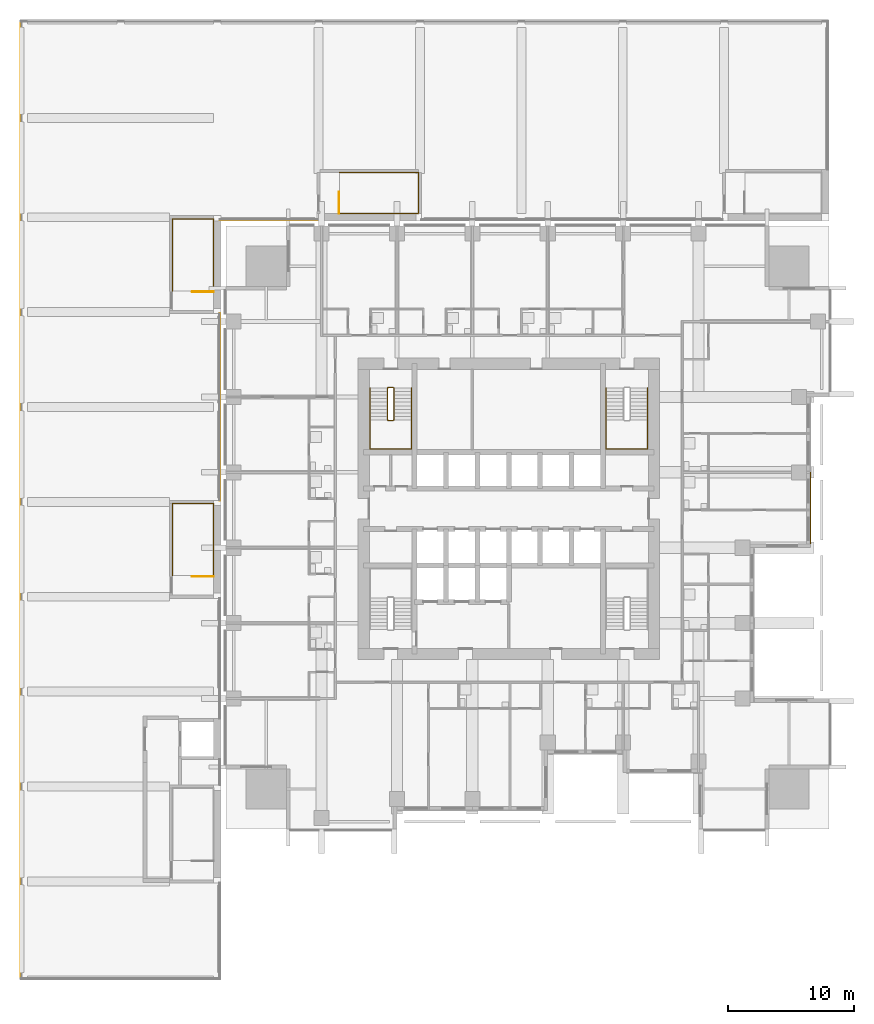
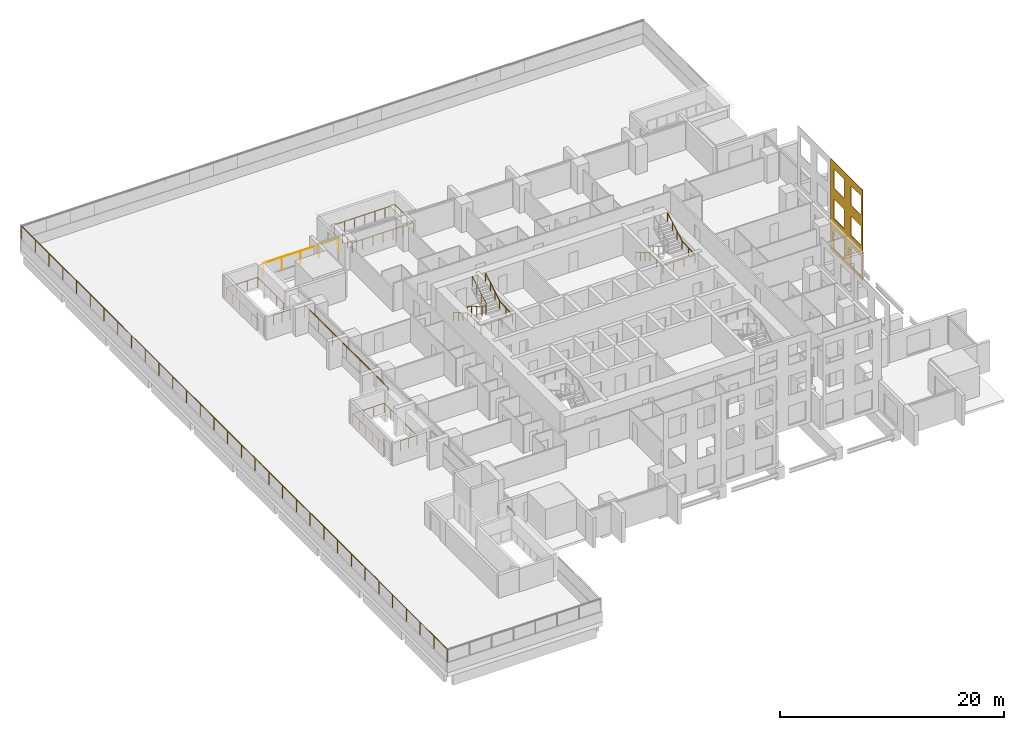
# One storey, part 13 of 15: 12 railings, 1 covering.
"""IFC4 building model written with IfcOpenShell, lengths in metres."""

from ifc_helpers import new_model, si_unit, direction, frame, origin, origin_2d, place, context, subcontext, project, spatial, polyline, circle, outline, extrude, material, layer, layer_set, type_object, element, save


model = new_model("IFC4")

# Units and contexts
model_context = context("Model", 3, precision=1e-05, world=origin(), true_north=direction((0.0, 1.0)))
body_context = subcontext(model_context, "Body", "Model", "MODEL_VIEW")
ifc_project = project(units=[si_unit("LENGTHUNIT", "METRE"), si_unit("AREAUNIT", "SQUARE_METRE"), si_unit("VOLUMEUNIT", "CUBIC_METRE"), si_unit("PLANEANGLEUNIT", "RADIAN"), si_unit("MASSUNIT", "GRAM", prefix="KILO")], contexts=[model_context])

# Site, building, storey
site_placement = place(None, origin())
site = spatial("IfcSite", under=ifc_project, at=site_placement, CompositionType="ELEMENT")
building_placement = place(site_placement, origin())
building = spatial("IfcBuilding", under=site, at=building_placement, Name="Amberfall Residences", CompositionType="ELEMENT")
storey_placement = place(building_placement, frame((0.0, 0.0, 23.5)))
storey = spatial("IfcBuildingStorey", under=building, at=storey_placement, Name="L05", CompositionType="ELEMENT", Elevation=23.5)

# Covering
ifc_material_1 = material(Name="Pale limestone cladding", Category="masonry")
ifc_layer = layer(ifc_material_1, 0.050048828125)
ifc_layer_set = layer_set([ifc_layer], Name="Limestone fascia 50")
covering_type = type_object("IfcCoveringType", Name="Limestone fascia 50", PredefinedType="CLADDING", material=ifc_layer_set)
covering_placement = place(storey_placement, frame((98.5, 42.699951171875, 9.64990234375), z_axis=(-1.0, 0.0, 0.0), x_axis=(0.0, 1.0, 0.0)))
element("IfcCovering", 1, at=covering_placement, inside=storey, type_object=covering_type, Name="Pale limestone cladding L05-L07 E", PredefinedType="CLADDING", context=body_context, shape_type="SweptSolid", body=[
    extrude(outline(polyline([(0.0, 0.0), (5.699951171875, 0.0), (5.699951171875, 9.89990234375), (0.0, 9.89990234375), (0.0, 0.0)]), holes=[polyline([(0.300048828125, 7.39990234375), (2.10009765625, 7.39990234375), (2.10009765625, 9.5), (0.300048828125, 9.5), (0.300048828125, 7.39990234375)]), polyline([(3.300048828125, 7.39990234375), (5.10009765625, 7.39990234375), (5.10009765625, 9.5), (3.300048828125, 9.5), (3.300048828125, 7.39990234375)]), polyline([(0.300048828125, 4.099853515625), (2.10009765625, 4.099853515625), (2.10009765625, 6.199951171875), (0.300048828125, 6.199951171875), (0.300048828125, 4.099853515625)]), polyline([(3.300048828125, 4.099853515625), (5.10009765625, 4.099853515625), (5.10009765625, 6.199951171875), (3.300048828125, 6.199951171875), (3.300048828125, 4.099853515625)]), polyline([(0.300048828125, 0.7998046875), (2.10009765625, 0.7998046875), (2.10009765625, 2.89990234375), (0.300048828125, 2.89990234375), (0.300048828125, 0.7998046875)]), polyline([(3.300048828125, 0.7998046875), (5.10009765625, 0.7998046875), (5.10009765625, 2.89990234375), (3.300048828125, 2.89990234375), (3.300048828125, 0.7998046875)])]), origin(), (0.0, 0.0, -1.0), 0.050048828125),
])

# Railings
ifc_material_2 = material(Name="Galvanised steel", Category="steel")
railing_type_1 = type_object("IfcRailingType", Name="School playground fence 1400", PredefinedType="GUARDRAIL", material=ifc_material_2)
railing_1_placement = place(storey_placement, frame((51.5, 46.175048828125, 1.10009765625)))
element("IfcRailing", 2, at=railing_1_placement, inside=storey, type_object=railing_type_1, Name="School playground fence", PredefinedType="GUARDRAIL", context=body_context, shape_type="SweptSolid", body=[
    extrude(circle(Radius=0.02392578125, at=origin_2d()), frame((0.0, 0.0, 1.3759765625), z_axis=(0.0, 1.0, 0.0), x_axis=(-1.0, 0.0, 0.0)), (0.0, 0.0, 1.0), 14.849853515625),
    extrude(circle(Radius=0.02099609375, at=origin_2d()), origin(), (0.0, 0.0, 1.0), 1.351806640625),
    extrude(circle(Radius=0.02099609375, at=origin_2d()), frame((0.0, 2.47509765625, 0.0)), (0.0, 0.0, 1.0), 1.351806640625),
    extrude(circle(Radius=0.02099609375, at=origin_2d()), frame((0.0, 4.949951171875, 0.0)), (0.0, 0.0, 1.0), 1.351806640625),
    extrude(circle(Radius=0.02099609375, at=origin_2d()), frame((0.0, 7.4248046875, 0.0)), (0.0, 0.0, 1.0), 1.351806640625),
    extrude(circle(Radius=0.02099609375, at=origin_2d()), frame((0.0, 9.89990234375, 0.0)), (0.0, 0.0, 1.0), 1.351806640625),
    extrude(circle(Radius=0.02099609375, at=origin_2d()), frame((0.0, 12.375, 0.0)), (0.0, 0.0, 1.0), 1.351806640625),
    extrude(circle(Radius=0.02099609375, at=origin_2d()), frame((0.0, 14.849853515625, 0.0)), (0.0, 0.0, 1.0), 1.351806640625),
])
railing_2_placement = place(storey_placement, frame((51.5, 68.5, 1.10009765625)))
element("IfcRailing", 3, at=railing_2_placement, inside=storey, type_object=railing_type_1, Name="School playground fence", PredefinedType="GUARDRAIL", context=body_context, shape_type="SweptSolid", body=[
    extrude(circle(Radius=0.02392578125, at=origin_2d()), frame((0.0, 0.0, 1.3759765625), z_axis=(1.0, 0.0, 0.0), x_axis=(0.0, 1.0, 0.0)), (0.0, 0.0, 1.0), 7.741943359375),
    extrude(circle(Radius=0.02099609375, at=origin_2d()), origin(), (0.0, 0.0, 1.0), 1.351806640625),
    extrude(circle(Radius=0.02099609375, at=origin_2d()), frame((1.935546875, 0.0, 0.0)), (0.0, 0.0, 1.0), 1.351806640625),
    extrude(circle(Radius=0.02099609375, at=origin_2d()), frame((3.87109375, 0.0, 0.0)), (0.0, 0.0, 1.0), 1.351806640625),
    extrude(circle(Radius=0.02099609375, at=origin_2d()), frame((5.806396484375, 0.0, 0.0)), (0.0, 0.0, 1.0), 1.351806640625),
    extrude(circle(Radius=0.02099609375, at=origin_2d()), frame((7.741943359375, 0.0, 0.0)), (0.0, 0.0, 1.0), 1.351806640625),
])
railing_3_placement = place(storey_placement, frame((35.699951171875, 84.300048828125, 1.10009765625)))
element("IfcRailing", 4, at=railing_3_placement, inside=storey, type_object=railing_type_1, Name="School playground fence", PredefinedType="GUARDRAIL", context=body_context, shape_type="SweptSolid", body=[
    extrude(circle(Radius=0.02392578125, at=origin_2d()), frame((0.0, 0.0, 1.3759765625), z_axis=(0.0, -1.0, 0.0), x_axis=(1.0, 0.0, 0.0)), (0.0, 0.0, 1.0), 76.199951171875),
    extrude(circle(Radius=0.02099609375, at=origin_2d()), origin(), (0.0, 0.0, 1.0), 1.351806640625),
    extrude(circle(Radius=0.02099609375, at=origin_2d()), frame((0.0, -2.4580078125, 0.0)), (0.0, 0.0, 1.0), 1.351806640625),
    extrude(circle(Radius=0.02099609375, at=origin_2d()), frame((0.0, -4.916015625, 0.0)), (0.0, 0.0, 1.0), 1.351806640625),
    extrude(circle(Radius=0.02099609375, at=origin_2d()), frame((0.0, -7.374267578125, 0.0)), (0.0, 0.0, 1.0), 1.351806640625),
    extrude(circle(Radius=0.02099609375, at=origin_2d()), frame((0.0, -9.832275390625, 0.0)), (0.0, 0.0, 1.0), 1.351806640625),
    extrude(circle(Radius=0.02099609375, at=origin_2d()), frame((0.0, -12.290283203125, 0.0)), (0.0, 0.0, 1.0), 1.351806640625),
    extrude(circle(Radius=0.02099609375, at=origin_2d()), frame((0.0, -14.748291015625, 0.0)), (0.0, 0.0, 1.0), 1.351806640625),
    extrude(circle(Radius=0.02099609375, at=origin_2d()), frame((0.0, -17.20654296875, 0.0)), (0.0, 0.0, 1.0), 1.351806640625),
    extrude(circle(Radius=0.02099609375, at=origin_2d()), frame((0.0, -19.66455078125, 0.0)), (0.0, 0.0, 1.0), 1.351806640625),
    extrude(circle(Radius=0.02099609375, at=origin_2d()), frame((0.0, -22.12255859375, 0.0)), (0.0, 0.0, 1.0), 1.351806640625),
    extrude(circle(Radius=0.02099609375, at=origin_2d()), frame((0.0, -24.58056640625, 0.0)), (0.0, 0.0, 1.0), 1.351806640625),
    extrude(circle(Radius=0.02099609375, at=origin_2d()), frame((0.0, -27.03857421875, 0.0)), (0.0, 0.0, 1.0), 1.351806640625),
    extrude(circle(Radius=0.02099609375, at=origin_2d()), frame((0.0, -29.496826171875, 0.0)), (0.0, 0.0, 1.0), 1.351806640625),
    extrude(circle(Radius=0.02099609375, at=origin_2d()), frame((0.0, -31.954833984375, 0.0)), (0.0, 0.0, 1.0), 1.351806640625),
    extrude(circle(Radius=0.02099609375, at=origin_2d()), frame((0.0, -34.412841796875, 0.0)), (0.0, 0.0, 1.0), 1.351806640625),
    extrude(circle(Radius=0.02099609375, at=origin_2d()), frame((0.0, -36.870849609375, 0.0)), (0.0, 0.0, 1.0), 1.351806640625),
    extrude(circle(Radius=0.02099609375, at=origin_2d()), frame((0.0, -39.3291015625, 0.0)), (0.0, 0.0, 1.0), 1.351806640625),
    extrude(circle(Radius=0.02099609375, at=origin_2d()), frame((0.0, -41.787109375, 0.0)), (0.0, 0.0, 1.0), 1.351806640625),
    extrude(circle(Radius=0.02099609375, at=origin_2d()), frame((0.0, -44.2451171875, 0.0)), (0.0, 0.0, 1.0), 1.351806640625),
    extrude(circle(Radius=0.02099609375, at=origin_2d()), frame((0.0, -46.703125, 0.0)), (0.0, 0.0, 1.0), 1.351806640625),
    extrude(circle(Radius=0.02099609375, at=origin_2d()), frame((0.0, -49.161376953125, 0.0)), (0.0, 0.0, 1.0), 1.351806640625),
    extrude(circle(Radius=0.02099609375, at=origin_2d()), frame((0.0, -51.619384765625, 0.0)), (0.0, 0.0, 1.0), 1.351806640625),
    extrude(circle(Radius=0.02099609375, at=origin_2d()), frame((0.0, -54.077392578125, 0.0)), (0.0, 0.0, 1.0), 1.351806640625),
    extrude(circle(Radius=0.02099609375, at=origin_2d()), frame((0.0, -56.535400390625, 0.0)), (0.0, 0.0, 1.0), 1.351806640625),
    extrude(circle(Radius=0.02099609375, at=origin_2d()), frame((0.0, -58.993408203125, 0.0)), (0.0, 0.0, 1.0), 1.351806640625),
    extrude(circle(Radius=0.02099609375, at=origin_2d()), frame((0.0, -61.45166015625, 0.0)), (0.0, 0.0, 1.0), 1.351806640625),
    extrude(circle(Radius=0.02099609375, at=origin_2d()), frame((0.0, -63.90966796875, 0.0)), (0.0, 0.0, 1.0), 1.351806640625),
    extrude(circle(Radius=0.02099609375, at=origin_2d()), frame((0.0, -66.36767578125, 0.0)), (0.0, 0.0, 1.0), 1.351806640625),
    extrude(circle(Radius=0.02099609375, at=origin_2d()), frame((0.0, -68.82568359375, 0.0)), (0.0, 0.0, 1.0), 1.351806640625),
    extrude(circle(Radius=0.02099609375, at=origin_2d()), frame((0.0, -71.283935546875, 0.0)), (0.0, 0.0, 1.0), 1.351806640625),
    extrude(circle(Radius=0.02099609375, at=origin_2d()), frame((0.0, -73.741943359375, 0.0)), (0.0, 0.0, 1.0), 1.351806640625),
    extrude(circle(Radius=0.02099609375, at=origin_2d()), frame((0.0, -76.199951171875, 0.0)), (0.0, 0.0, 1.0), 1.351806640625),
])
ifc_material_3 = material(Name="Stainless steel", Category="steel")
railing_type_2 = type_object("IfcRailingType", Name="School stair guard 1100", PredefinedType="GUARDRAIL", material=ifc_material_3)
for number, where, name in (
    (5, (51.0, 40.125, 0.0), "L05 SS2 top well guard 1"),
    (6, (51.0, 62.77490234375, 0.0), "L05 SS3 top well guard 1"),
):
    element("IfcRailing", number, at=place(storey_placement, frame(where)), inside=storey, type_object=railing_type_2, Name=name, PredefinedType="GUARDRAIL", context=body_context, shape_type="SweptSolid", body=[
        extrude(circle(Radius=0.02392578125, at=origin_2d()), frame((0.0, 0.0, 1.076171875), z_axis=(-1.0, 0.0, 0.0), x_axis=(0.0, -1.0, 0.0)), (0.0, 0.0, 1.0), 1.699951171875),
        extrude(circle(Radius=0.02099609375, at=origin_2d()), origin(), (0.0, 0.0, 1.0), 1.052001953125),
        extrude(circle(Radius=0.02099609375, at=origin_2d()), frame((-0.85009765625, 0.0, 0.0)), (0.0, 0.0, 1.0), 1.052001953125),
        extrude(circle(Radius=0.02099609375, at=origin_2d()), frame((-1.699951171875, 0.0, 0.0)), (0.0, 0.0, 1.0), 1.052001953125),
    ])
railing_4_placement = place(storey_placement, frame((60.991943359375, 69.0, 0.0)))
element("IfcRailing", 7, at=railing_4_placement, inside=storey, type_object=railing_type_2, Name="L05 SS4 top well guard 1", PredefinedType="GUARDRAIL", context=body_context, shape_type="SweptSolid", body=[
    extrude(circle(Radius=0.02392578125, at=origin_2d()), frame((0.0, 0.0, 1.076171875), z_axis=(0.0, 1.0, 0.0), x_axis=(-1.0, 0.0, 0.0)), (0.0, 0.0, 1.0), 1.699951171875),
    extrude(circle(Radius=0.02099609375, at=origin_2d()), origin(), (0.0, 0.0, 1.0), 1.052001953125),
    extrude(circle(Radius=0.02099609375, at=origin_2d()), frame((0.0, 0.85009765625, 0.0)), (0.0, 0.0, 1.0), 1.052001953125),
    extrude(circle(Radius=0.02099609375, at=origin_2d()), frame((0.0, 1.699951171875, 0.0)), (0.0, 0.0, 1.0), 1.052001953125),
])
railing_5_placement = place(storey_placement, frame((51.0, 40.175048828125, 0.0)))
element("IfcRailing", 8, at=railing_5_placement, inside=storey, type_object=railing_type_2, Name="School roof stair well guard SS2", PredefinedType="GUARDRAIL", context=body_context, shape_type="SweptSolid", body=[
    extrude(circle(Radius=0.02392578125, at=origin_2d()), frame((0.0, 0.0, 1.076171875), z_axis=(0.0, 1.0, 0.0), x_axis=(-1.0, 0.0, 0.0)), (0.0, 0.0, 1.0), 5.75),
    extrude(circle(Radius=0.02392578125, at=origin_2d()), frame((0.0, 5.75, 1.076171875), z_axis=(-1.0, 0.0, 0.0), x_axis=(0.0, -1.0, 0.0)), (0.0, 0.0, 1.0), 3.25),
    extrude(circle(Radius=0.02392578125, at=origin_2d()), frame((-3.25, 5.75, 1.076171875), z_axis=(0.0, -1.0, 0.0), x_axis=(1.0, 0.0, 0.0)), (0.0, 0.0, 1.0), 5.75),
    extrude(circle(Radius=0.02099609375, at=origin_2d()), origin(), (0.0, 0.0, 1.0), 1.052001953125),
    extrude(circle(Radius=0.02099609375, at=origin_2d()), frame((0.0, 1.14990234375, 0.0)), (0.0, 0.0, 1.0), 1.052001953125),
    extrude(circle(Radius=0.02099609375, at=origin_2d()), frame((0.0, 2.300048828125, 0.0)), (0.0, 0.0, 1.0), 1.052001953125),
    extrude(circle(Radius=0.02099609375, at=origin_2d()), frame((0.0, 3.449951171875, 0.0)), (0.0, 0.0, 1.0), 1.052001953125),
    extrude(circle(Radius=0.02099609375, at=origin_2d()), frame((0.0, 4.60009765625, 0.0)), (0.0, 0.0, 1.0), 1.052001953125),
    extrude(circle(Radius=0.02099609375, at=origin_2d()), frame((0.0, 5.75, 0.0)), (0.0, 0.0, 1.0), 1.052001953125),
    extrude(circle(Radius=0.02099609375, at=origin_2d()), frame((-1.083251953125, 5.75, 0.0)), (0.0, 0.0, 1.0), 1.052001953125),
    extrude(circle(Radius=0.02099609375, at=origin_2d()), frame((-2.166748046875, 5.75, 0.0)), (0.0, 0.0, 1.0), 1.052001953125),
    extrude(circle(Radius=0.02099609375, at=origin_2d()), frame((-3.25, 5.75, 0.0)), (0.0, 0.0, 1.0), 1.052001953125),
    extrude(circle(Radius=0.02099609375, at=origin_2d()), frame((-3.25, 4.60009765625, 0.0)), (0.0, 0.0, 1.0), 1.052001953125),
    extrude(circle(Radius=0.02099609375, at=origin_2d()), frame((-3.25, 3.449951171875, 0.0)), (0.0, 0.0, 1.0), 1.052001953125),
    extrude(circle(Radius=0.02099609375, at=origin_2d()), frame((-3.25, 2.300048828125, 0.0)), (0.0, 0.0, 1.0), 1.052001953125),
    extrude(circle(Radius=0.02099609375, at=origin_2d()), frame((-3.25, 1.14990234375, 0.0)), (0.0, 0.0, 1.0), 1.052001953125),
    extrude(circle(Radius=0.02099609375, at=origin_2d()), frame((-3.25, 0.0, 0.0)), (0.0, 0.0, 1.0), 1.052001953125),
])
railing_6_placement = place(storey_placement, frame((51.0, 62.824951171875, 0.0)))
element("IfcRailing", 9, at=railing_6_placement, inside=storey, type_object=railing_type_2, Name="School roof stair well guard SS3", PredefinedType="GUARDRAIL", context=body_context, shape_type="SweptSolid", body=[
    extrude(circle(Radius=0.02392578125, at=origin_2d()), frame((0.0, 0.0, 1.076171875), z_axis=(0.0, 1.0, 0.0), x_axis=(-1.0, 0.0, 0.0)), (0.0, 0.0, 1.0), 5.75),
    extrude(circle(Radius=0.02392578125, at=origin_2d()), frame((0.0, 5.75, 1.076171875), z_axis=(-1.0, 0.0, 0.0), x_axis=(0.0, -1.0, 0.0)), (0.0, 0.0, 1.0), 3.25),
    extrude(circle(Radius=0.02392578125, at=origin_2d()), frame((-3.25, 5.75, 1.076171875), z_axis=(0.0, -1.0, 0.0), x_axis=(1.0, 0.0, 0.0)), (0.0, 0.0, 1.0), 5.75),
    extrude(circle(Radius=0.02099609375, at=origin_2d()), origin(), (0.0, 0.0, 1.0), 1.052001953125),
    extrude(circle(Radius=0.02099609375, at=origin_2d()), frame((0.0, 1.14990234375, 0.0)), (0.0, 0.0, 1.0), 1.052001953125),
    extrude(circle(Radius=0.02099609375, at=origin_2d()), frame((0.0, 2.300048828125, 0.0)), (0.0, 0.0, 1.0), 1.052001953125),
    extrude(circle(Radius=0.02099609375, at=origin_2d()), frame((0.0, 3.449951171875, 0.0)), (0.0, 0.0, 1.0), 1.052001953125),
    extrude(circle(Radius=0.02099609375, at=origin_2d()), frame((0.0, 4.60009765625, 0.0)), (0.0, 0.0, 1.0), 1.052001953125),
    extrude(circle(Radius=0.02099609375, at=origin_2d()), frame((0.0, 5.75, 0.0)), (0.0, 0.0, 1.0), 1.052001953125),
    extrude(circle(Radius=0.02099609375, at=origin_2d()), frame((-1.083251953125, 5.75, 0.0)), (0.0, 0.0, 1.0), 1.052001953125),
    extrude(circle(Radius=0.02099609375, at=origin_2d()), frame((-2.166748046875, 5.75, 0.0)), (0.0, 0.0, 1.0), 1.052001953125),
    extrude(circle(Radius=0.02099609375, at=origin_2d()), frame((-3.25, 5.75, 0.0)), (0.0, 0.0, 1.0), 1.052001953125),
    extrude(circle(Radius=0.02099609375, at=origin_2d()), frame((-3.25, 4.60009765625, 0.0)), (0.0, 0.0, 1.0), 1.052001953125),
    extrude(circle(Radius=0.02099609375, at=origin_2d()), frame((-3.25, 3.449951171875, 0.0)), (0.0, 0.0, 1.0), 1.052001953125),
    extrude(circle(Radius=0.02099609375, at=origin_2d()), frame((-3.25, 2.300048828125, 0.0)), (0.0, 0.0, 1.0), 1.052001953125),
    extrude(circle(Radius=0.02099609375, at=origin_2d()), frame((-3.25, 1.14990234375, 0.0)), (0.0, 0.0, 1.0), 1.052001953125),
    extrude(circle(Radius=0.02099609375, at=origin_2d()), frame((-3.25, 0.0, 0.0)), (0.0, 0.0, 1.0), 1.052001953125),
])
railing_7_placement = place(storey_placement, frame((61.0419921875, 69.0, 0.0)))
element("IfcRailing", 10, at=railing_7_placement, inside=storey, type_object=railing_type_2, Name="School roof stair well guard SS4", PredefinedType="GUARDRAIL", context=body_context, shape_type="SweptSolid", body=[
    extrude(circle(Radius=0.02392578125, at=origin_2d()), frame((0.0, 0.0, 1.076171875), z_axis=(1.0, 0.0, 0.0), x_axis=(0.0, 1.0, 0.0)), (0.0, 0.0, 1.0), 6.26611328125),
    extrude(circle(Radius=0.02392578125, at=origin_2d()), frame((6.26611328125, 0.0, 1.076171875), z_axis=(0.0, 1.0, 0.0), x_axis=(-1.0, 0.0, 0.0)), (0.0, 0.0, 1.0), 3.25),
    extrude(circle(Radius=0.02392578125, at=origin_2d()), frame((6.26611328125, 3.25, 1.076171875), z_axis=(-1.0, 0.0, 0.0), x_axis=(0.0, -1.0, 0.0)), (0.0, 0.0, 1.0), 6.26611328125),
    extrude(circle(Radius=0.02099609375, at=origin_2d()), origin(), (0.0, 0.0, 1.0), 1.052001953125),
    extrude(circle(Radius=0.02099609375, at=origin_2d()), frame((1.04443359375, 0.0, 0.0)), (0.0, 0.0, 1.0), 1.052001953125),
    extrude(circle(Radius=0.02099609375, at=origin_2d()), frame((2.088623046875, 0.0, 0.0)), (0.0, 0.0, 1.0), 1.052001953125),
    extrude(circle(Radius=0.02099609375, at=origin_2d()), frame((3.133056640625, 0.0, 0.0)), (0.0, 0.0, 1.0), 1.052001953125),
    extrude(circle(Radius=0.02099609375, at=origin_2d()), frame((4.177490234375, 0.0, 0.0)), (0.0, 0.0, 1.0), 1.052001953125),
    extrude(circle(Radius=0.02099609375, at=origin_2d()), frame((5.2216796875, 0.0, 0.0)), (0.0, 0.0, 1.0), 1.052001953125),
    extrude(circle(Radius=0.02099609375, at=origin_2d()), frame((6.26611328125, 0.0, 0.0)), (0.0, 0.0, 1.0), 1.052001953125),
    extrude(circle(Radius=0.02099609375, at=origin_2d()), frame((6.26611328125, 1.083251953125, 0.0)), (0.0, 0.0, 1.0), 1.052001953125),
    extrude(circle(Radius=0.02099609375, at=origin_2d()), frame((6.26611328125, 2.166748046875, 0.0)), (0.0, 0.0, 1.0), 1.052001953125),
    extrude(circle(Radius=0.02099609375, at=origin_2d()), frame((6.26611328125, 3.25, 0.0)), (0.0, 0.0, 1.0), 1.052001953125),
    extrude(circle(Radius=0.02099609375, at=origin_2d()), frame((5.2216796875, 3.25, 0.0)), (0.0, 0.0, 1.0), 1.052001953125),
    extrude(circle(Radius=0.02099609375, at=origin_2d()), frame((4.177490234375, 3.25, 0.0)), (0.0, 0.0, 1.0), 1.052001953125),
    extrude(circle(Radius=0.02099609375, at=origin_2d()), frame((3.133056640625, 3.25, 0.0)), (0.0, 0.0, 1.0), 1.052001953125),
    extrude(circle(Radius=0.02099609375, at=origin_2d()), frame((2.088623046875, 3.25, 0.0)), (0.0, 0.0, 1.0), 1.052001953125),
    extrude(circle(Radius=0.02099609375, at=origin_2d()), frame((1.04443359375, 3.25, 0.0)), (0.0, 0.0, 1.0), 1.052001953125),
    extrude(circle(Radius=0.02099609375, at=origin_2d()), frame((0.0, 3.25, 0.0)), (0.0, 0.0, 1.0), 1.052001953125),
])
ifc_material_4 = material(Name="Stainless steel 316", Category="steel")
railing_type_3 = type_object("IfcRailingType", Name="Stair guard 1100", PredefinedType="GUARDRAIL", material=ifc_material_4)
railing_8_placement = place(storey_placement, frame((65.300048828125, 55.14990234375, 0.0)))
element("IfcRailing", 11, at=railing_8_placement, inside=storey, type_object=railing_type_3, Name="L05 stair 4 guard", PredefinedType="GUARDRAIL", context=body_context, shape_type="SweptSolid", body=[
    extrude(circle(Radius=0.02392578125, at=origin_2d()), frame((0.0, 0.0, 1.076171875), z_axis=(-1.0, 0.0, 0.0), x_axis=(0.0, -1.0, 0.0)), (0.0, 0.0, 1.0), 0.400146484375),
    extrude(circle(Radius=0.02392578125, at=origin_2d()), frame((-0.400146484375, 0.0, 1.076171875), z_axis=(-0.27755538755, -0.27755538755, 0.919742362667), x_axis=(0.707106781187, -0.707106781187, 0.0)), (0.0, 0.0, 1.0), 0.179443359375),
    extrude(circle(Radius=0.02392578125, at=origin_2d()), frame((-0.449951171875, -0.0498046875, 1.2412109375), z_axis=(0.0, -0.861560626758, 0.507654692109), x_axis=(1.0, 0.0, 0.0)), (0.0, 0.0, 1.0), 2.925048828125),
    extrude(circle(Radius=0.02392578125, at=origin_2d()), frame((-0.449951171875, -2.56982421875, 2.72607421875), z_axis=(0.705375805398, -0.708833529934, 0.0), x_axis=(0.708833529934, 0.705375805398, 0.0)), (0.0, 0.0, 1.0), 0.070556640625),
    extrude(circle(Radius=0.02392578125, at=origin_2d()), frame((-0.400146484375, -2.619873046875, 2.72607421875), z_axis=(1.0, 0.0, 0.0), x_axis=(0.0, 1.0, 0.0)), (0.0, 0.0, 1.0), 0.400146484375),
    extrude(circle(Radius=0.02392578125, at=origin_2d()), frame((0.0, -2.619873046875, 2.72607421875), z_axis=(0.278705021027, 0.278705021027, 0.919046801044), x_axis=(-0.707106781187, 0.707106781187, 0.0)), (0.0, 0.0, 1.0), 0.1796875),
    extrude(circle(Radius=0.02392578125, at=origin_2d()), frame((0.050048828125, -2.56982421875, 2.89111328125), z_axis=(0.0, 0.86152411907, 0.507716645641), x_axis=(-1.0, 0.0, 0.0)), (0.0, 0.0, 1.0), 2.925048828125),
    extrude(circle(Radius=0.02099609375, at=origin_2d()), origin(), (0.0, 0.0, 1.0), 1.052001953125),
    extrude(circle(Radius=0.02099609375, at=origin_2d()), frame((-0.400146484375, 0.0, 0.0)), (0.0, 0.0, 1.0), 1.052001953125),
    extrude(circle(Radius=0.02099609375, at=origin_2d()), frame((-0.449951171875, -0.0498046875, 0.1650390625)), (0.0, 0.0, 1.0), 1.052001953125),
    extrude(circle(Radius=0.02099609375, at=origin_2d()), frame((-0.449951171875, -0.889892578125, 0.659912109375)), (0.0, 0.0, 1.0), 1.052001953125),
    extrude(circle(Radius=0.02099609375, at=origin_2d()), frame((-0.449951171875, -1.729736328125, 1.155029296875)), (0.0, 0.0, 1.0), 1.052001953125),
    extrude(circle(Radius=0.02099609375, at=origin_2d()), frame((-0.449951171875, -2.56982421875, 1.64990234375)), (0.0, 0.0, 1.0), 1.052001953125),
    extrude(circle(Radius=0.02099609375, at=origin_2d()), frame((-0.400146484375, -2.619873046875, 1.64990234375)), (0.0, 0.0, 1.0), 1.052001953125),
    extrude(circle(Radius=0.02099609375, at=origin_2d()), frame((0.0, -2.619873046875, 1.64990234375)), (0.0, 0.0, 1.0), 1.052001953125),
    extrude(circle(Radius=0.02099609375, at=origin_2d()), frame((0.050048828125, -2.56982421875, 1.81494140625)), (0.0, 0.0, 1.0), 1.052001953125),
    extrude(circle(Radius=0.02099609375, at=origin_2d()), frame((0.050048828125, -1.729736328125, 2.31005859375)), (0.0, 0.0, 1.0), 1.052001953125),
    extrude(circle(Radius=0.02099609375, at=origin_2d()), frame((0.050048828125, -0.889892578125, 2.804931640625)), (0.0, 0.0, 1.0), 1.052001953125),
    extrude(circle(Radius=0.02099609375, at=origin_2d()), frame((0.050048828125, -0.0498046875, 3.300048828125)), (0.0, 0.0, 1.0), 1.052001953125),
])
railing_type_4 = type_object("IfcRailingType", Name="Stair handrail 900", PredefinedType="HANDRAIL", material=ifc_material_4)
railing_9_placement = place(storey_placement, frame((82.25, 55.10009765625, 0.1650390625)))
element("IfcRailing", 12, at=railing_9_placement, inside=storey, type_object=railing_type_4, Name="L05 stair 3 handrail", PredefinedType="HANDRAIL", context=body_context, shape_type="SweptSolid", body=[
    extrude(circle(Radius=0.02392578125, at=origin_2d()), frame((0.0, 0.0, 0.8759765625), z_axis=(0.0, -0.861560626758, 0.507654692109), x_axis=(1.0, 0.0, 0.0)), (0.0, 0.0, 1.0), 2.925048828125),
    extrude(circle(Radius=0.02392578125, at=origin_2d()), frame((0.0, -2.52001953125, 2.36083984375), z_axis=(0.0, -1.0, 0.0), x_axis=(1.0, 0.0, 0.0)), (0.0, 0.0, 1.0), 2.330078125),
    extrude(circle(Radius=0.02392578125, at=origin_2d()), frame((0.0, -4.85009765625, 2.36083984375), z_axis=(1.0, 0.0, 0.0), x_axis=(0.0, 1.0, 0.0)), (0.0, 0.0, 1.0), 3.300048828125),
    extrude(circle(Radius=0.02392578125, at=origin_2d()), frame((3.300048828125, -4.85009765625, 2.36083984375), z_axis=(0.0, 0.997500965899, 0.07065283455), x_axis=(-1.0, 0.0, 0.0)), (0.0, 0.0, 1.0), 2.3359375),
    extrude(circle(Radius=0.02392578125, at=origin_2d()), frame((3.300048828125, -2.52001953125, 2.52587890625), z_axis=(0.0, 0.86152411907, 0.507716645641), x_axis=(-1.0, 0.0, 0.0)), (0.0, 0.0, 1.0), 2.925048828125),
    extrude(circle(Radius=0.02099609375, at=origin_2d()), origin(), (0.0, 0.0, 1.0), 0.851806640625),
    extrude(circle(Radius=0.02099609375, at=origin_2d()), frame((0.0, -0.840087890625, 0.494873046875)), (0.0, 0.0, 1.0), 0.851806640625),
    extrude(circle(Radius=0.02099609375, at=origin_2d()), frame((0.0, -1.679931640625, 0.989990234375)), (0.0, 0.0, 1.0), 0.851806640625),
    extrude(circle(Radius=0.02099609375, at=origin_2d()), frame((0.0, -2.52001953125, 1.48486328125)), (0.0, 0.0, 1.0), 0.851806640625),
    extrude(circle(Radius=0.02099609375, at=origin_2d()), frame((0.0, -3.68505859375, 1.48486328125)), (0.0, 0.0, 1.0), 0.851806640625),
    extrude(circle(Radius=0.02099609375, at=origin_2d()), frame((0.0, -4.85009765625, 1.48486328125)), (0.0, 0.0, 1.0), 0.851806640625),
    extrude(circle(Radius=0.02099609375, at=origin_2d()), frame((1.10009765625, -4.85009765625, 1.48486328125)), (0.0, 0.0, 1.0), 0.851806640625),
    extrude(circle(Radius=0.02099609375, at=origin_2d()), frame((2.199951171875, -4.85009765625, 1.48486328125)), (0.0, 0.0, 1.0), 0.851806640625),
    extrude(circle(Radius=0.02099609375, at=origin_2d()), frame((3.300048828125, -4.85009765625, 1.48486328125)), (0.0, 0.0, 1.0), 0.851806640625),
    extrude(circle(Radius=0.02099609375, at=origin_2d()), frame((3.300048828125, -3.68505859375, 1.5673828125)), (0.0, 0.0, 1.0), 0.851806640625),
    extrude(circle(Radius=0.02099609375, at=origin_2d()), frame((3.300048828125, -2.52001953125, 1.64990234375)), (0.0, 0.0, 1.0), 0.851806640625),
    extrude(circle(Radius=0.02099609375, at=origin_2d()), frame((3.300048828125, -1.679931640625, 2.14501953125)), (0.0, 0.0, 1.0), 0.851806640625),
    extrude(circle(Radius=0.02099609375, at=origin_2d()), frame((3.300048828125, -0.840087890625, 2.639892578125)), (0.0, 0.0, 1.0), 0.851806640625),
    extrude(circle(Radius=0.02099609375, at=origin_2d()), frame((3.300048828125, 0.0, 3.135009765625)), (0.0, 0.0, 1.0), 0.851806640625),
])
railing_10_placement = place(storey_placement, frame((63.449951171875, 55.10009765625, 0.1650390625)))
element("IfcRailing", 13, at=railing_10_placement, inside=storey, type_object=railing_type_4, Name="L05 stair 4 handrail", PredefinedType="HANDRAIL", context=body_context, shape_type="SweptSolid", body=[
    extrude(circle(Radius=0.02392578125, at=origin_2d()), frame((0.0, 0.0, 0.8759765625), z_axis=(0.0, -0.861560626758, 0.507654692109), x_axis=(1.0, 0.0, 0.0)), (0.0, 0.0, 1.0), 2.925048828125),
    extrude(circle(Radius=0.02392578125, at=origin_2d()), frame((0.0, -2.52001953125, 2.36083984375), z_axis=(0.0, -1.0, 0.0), x_axis=(1.0, 0.0, 0.0)), (0.0, 0.0, 1.0), 2.330078125),
    extrude(circle(Radius=0.02392578125, at=origin_2d()), frame((0.0, -4.85009765625, 2.36083984375), z_axis=(1.0, 0.0, 0.0), x_axis=(0.0, 1.0, 0.0)), (0.0, 0.0, 1.0), 3.300048828125),
    extrude(circle(Radius=0.02392578125, at=origin_2d()), frame((3.300048828125, -4.85009765625, 2.36083984375), z_axis=(0.0, 0.997500965899, 0.07065283455), x_axis=(-1.0, 0.0, 0.0)), (0.0, 0.0, 1.0), 2.3359375),
    extrude(circle(Radius=0.02392578125, at=origin_2d()), frame((3.300048828125, -2.52001953125, 2.52587890625), z_axis=(0.0, 0.86152411907, 0.507716645641), x_axis=(-1.0, 0.0, 0.0)), (0.0, 0.0, 1.0), 2.925048828125),
    extrude(circle(Radius=0.02099609375, at=origin_2d()), origin(), (0.0, 0.0, 1.0), 0.851806640625),
    extrude(circle(Radius=0.02099609375, at=origin_2d()), frame((0.0, -0.840087890625, 0.494873046875)), (0.0, 0.0, 1.0), 0.851806640625),
    extrude(circle(Radius=0.02099609375, at=origin_2d()), frame((0.0, -1.679931640625, 0.989990234375)), (0.0, 0.0, 1.0), 0.851806640625),
    extrude(circle(Radius=0.02099609375, at=origin_2d()), frame((0.0, -2.52001953125, 1.48486328125)), (0.0, 0.0, 1.0), 0.851806640625),
    extrude(circle(Radius=0.02099609375, at=origin_2d()), frame((0.0, -3.68505859375, 1.48486328125)), (0.0, 0.0, 1.0), 0.851806640625),
    extrude(circle(Radius=0.02099609375, at=origin_2d()), frame((0.0, -4.85009765625, 1.48486328125)), (0.0, 0.0, 1.0), 0.851806640625),
    extrude(circle(Radius=0.02099609375, at=origin_2d()), frame((1.10009765625, -4.85009765625, 1.48486328125)), (0.0, 0.0, 1.0), 0.851806640625),
    extrude(circle(Radius=0.02099609375, at=origin_2d()), frame((2.199951171875, -4.85009765625, 1.48486328125)), (0.0, 0.0, 1.0), 0.851806640625),
    extrude(circle(Radius=0.02099609375, at=origin_2d()), frame((3.300048828125, -4.85009765625, 1.48486328125)), (0.0, 0.0, 1.0), 0.851806640625),
    extrude(circle(Radius=0.02099609375, at=origin_2d()), frame((3.300048828125, -3.68505859375, 1.5673828125)), (0.0, 0.0, 1.0), 0.851806640625),
    extrude(circle(Radius=0.02099609375, at=origin_2d()), frame((3.300048828125, -2.52001953125, 1.64990234375)), (0.0, 0.0, 1.0), 0.851806640625),
    extrude(circle(Radius=0.02099609375, at=origin_2d()), frame((3.300048828125, -1.679931640625, 2.14501953125)), (0.0, 0.0, 1.0), 0.851806640625),
    extrude(circle(Radius=0.02099609375, at=origin_2d()), frame((3.300048828125, -0.840087890625, 2.639892578125)), (0.0, 0.0, 1.0), 0.851806640625),
    extrude(circle(Radius=0.02099609375, at=origin_2d()), frame((3.300048828125, 0.0, 3.135009765625)), (0.0, 0.0, 1.0), 0.851806640625),
])

save(model, "model.ifc")
